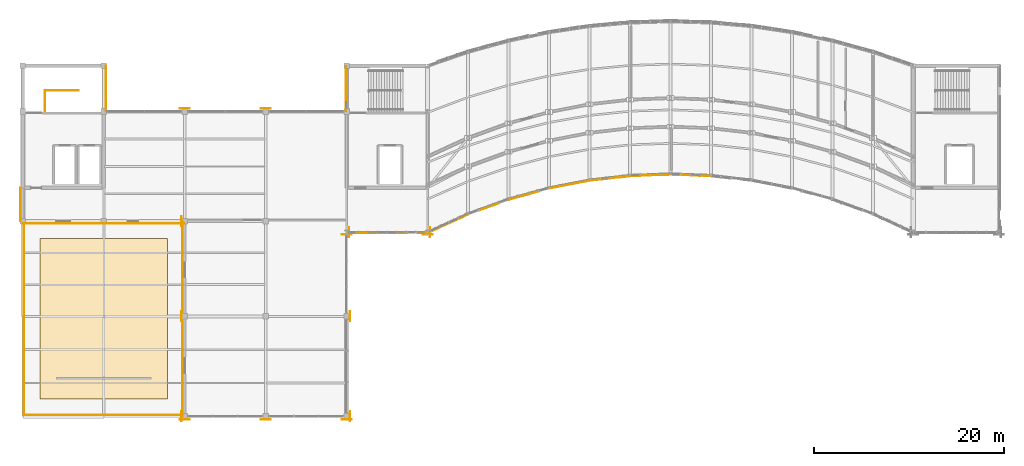
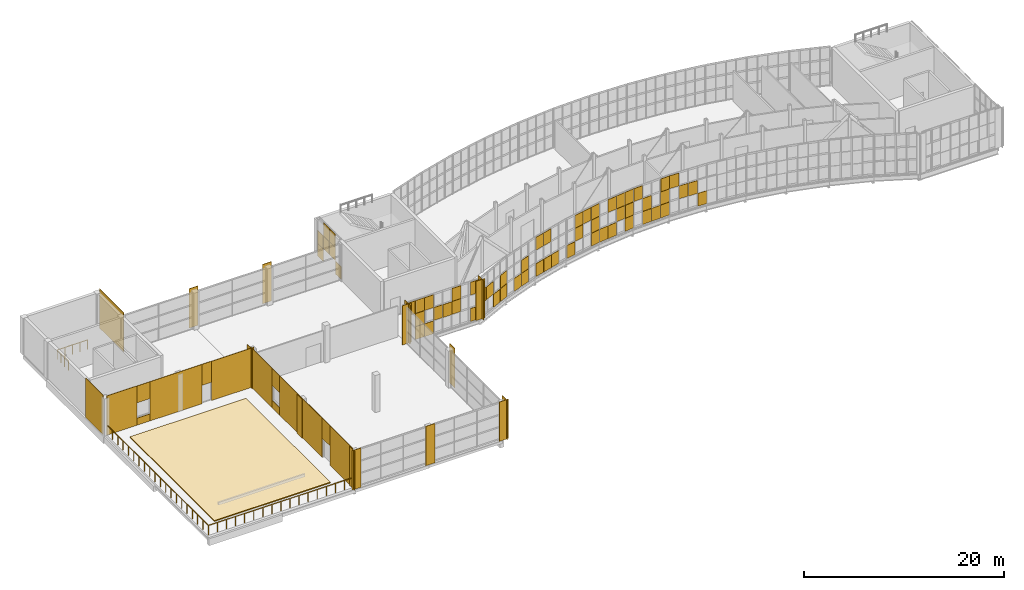
# One storey, part 42 of 46: 87 coverings, 2 railings.
"""IFC4 building model written with IfcOpenShell, lengths in metres."""

from ifc_helpers import new_model, si_unit, direction, frame, origin, origin_2d, place, context, subcontext, project, spatial, polyline, rectangle, circle, outline, extrude, material, layer, layer_set, type_object, element, save


model = new_model("IFC4")

# Units and contexts
model_context = context("Model", 3, precision=1e-05, world=origin(), true_north=direction((0.0, 1.0)))
body_context = subcontext(model_context, "Body", "Model", "MODEL_VIEW")
ifc_project = project(units=[si_unit("LENGTHUNIT", "METRE"), si_unit("AREAUNIT", "SQUARE_METRE"), si_unit("VOLUMEUNIT", "CUBIC_METRE"), si_unit("PLANEANGLEUNIT", "RADIAN"), si_unit("MASSUNIT", "GRAM", prefix="KILO")], contexts=[model_context])

# Site, building, storey
site_placement = place(None, origin())
site = spatial("IfcSite", under=ifc_project, at=site_placement, CompositionType="ELEMENT")
building_placement = place(site_placement, origin())
building = spatial("IfcBuilding", under=site, at=building_placement, Name="Solvikara Media Centre", CompositionType="ELEMENT")
storey_placement = place(building_placement, frame((0.0, 0.0, 24.60009765625)))
storey = spatial("IfcBuildingStorey", under=building, at=storey_placement, Name="L05", CompositionType="ELEMENT", Elevation=24.60009765625)

# Coverings
ifc_material_1 = material(Name="GFRC white mineral architectural rainscreen panel")
ifc_layer_1 = layer(ifc_material_1, 0.050048828125)
ifc_layer_set_1 = layer_set([ifc_layer_1], Name="GFRC white mineral architectural rainscreen panel")
covering_type_1 = type_object("IfcCoveringType", Name="CV-04", PredefinedType="CLADDING", material=ifc_layer_set_1)
for number, where, z_axis, x_axis, name in (
    (1, (50.675048828125, 0.0, 0.0), (0.0, 0.0, 1.0), (0.0, -1.0, 0.0), "PIL-L05-117"),
    (2, (51.0, -0.324951171875, 0.0), (0.0, 0.0, 1.0), (1.0, 0.0, 0.0), "PIL-L05-118"),
    (3, (50.675048828125, 10.5, 0.0), (0.0, 0.0, 1.0), (0.0, -1.0, 0.0), "PIL-L05-119"),
    (4, (50.675048828125, 20.5, 0.0), (0.0, 0.0, 1.0), (0.0, -1.0, 0.0), "PIL-L05-120"),
    (5, (51.0, 32.324951171875, 0.0), (0.0, 0.0, 1.0), (-1.0, 0.0, 0.0), "PIL-L05-122"),
    (6, (59.5, -0.324951171875, 0.0), (0.0, 0.0, 1.0), (1.0, 0.0, 0.0), "PIL-L05-132"),
    (7, (59.5, 32.324951171875, 0.0), (0.0, 0.0, 1.0), (-1.0, 0.0, 0.0), "PIL-L05-134"),
    (8, (68.324951171875, 0.0, 0.0), (0.0, 0.0, 1.0), (0.0, 1.0, 0.0), "PIL-L05-146"),
    (9, (68.0, -0.324951171875, 0.0), (0.0, 0.0, 1.0), (1.0, 0.0, 0.0), "PIL-L05-147"),
    (10, (68.324951171875, 10.5, 0.0), (0.0, 0.0, 1.0), (0.0, 1.0, 0.0), "PIL-L05-150"),
    (11, (68.22802734375, 19.323974609375, 0.0), (0.0, 0.0, 1.0), (0.0, 1.0, 0.0), "PIL-L05-167"),
    (12, (68.0, 19.0849609375, 0.0), (0.0, 0.0, 1.0), (1.0, 0.0, 0.0), "PIL-L05-168"),
    (13, (76.72802734375, 19.323974609375, 0.0), (0.0, 0.0, 1.0), (0.0, 1.0, 0.0), "PIL-L05-181"),
    (14, (76.5, 19.0849609375, 0.0), (0.0, 0.0, 1.0), (1.0, 0.0, 0.0), "PIL-L05-182"),
):
    element("IfcCovering", number, at=place(storey_placement, frame(where, z_axis=z_axis, x_axis=x_axis)), inside=storey, type_object=covering_type_1, Name=name, PredefinedType="CLADDING", context=body_context, shape_type="SweptSolid", body=[
        extrude(rectangle(XDim=1.0400390625, YDim=0.050048828125, at=origin_2d()), origin(), (0.0, 0.0, 1.0), 4.800048828125),
    ])
for number, where, z_axis, x_axis, name in (
    (15, (79.195068359375, 20.4609375, 0.0146484375), (0.0, 0.0, 1.0), (0.908187010791, 0.418564634711, 0.0), "CW-L05-SARC-00-SF-20"),
    (16, (80.258056640625, 20.948974609375, 0.0146484375), (0.0, 0.0, 1.0), (0.908675846917, 0.417502341586, 0.0), "CW-L05-SARC-00-SF-30"),
):
    element("IfcCovering", number, at=place(storey_placement, frame(where, z_axis=z_axis, x_axis=x_axis)), inside=storey, type_object=covering_type_1, Name=name, PredefinedType="CLADDING", context=body_context, shape_type="SweptSolid", body=[
        extrude(rectangle(XDim=1.139892578125, YDim=0.050048828125, at=origin_2d()), origin(), (0.0, 0.0, 1.0), 1.570068359375),
    ])
covering_1_placement = place(storey_placement, frame((83.43896484375, 22.156005859375, 1.61474609375), z_axis=(0.0, 0.0, 1.0), x_axis=(0.939901373663, 0.341446053991, 0.0)))
element("IfcCovering", 17, at=covering_1_placement, inside=storey, type_object=covering_type_1, Name="CW-L05-SARC-01-SF-21", PredefinedType="CLADDING", context=body_context, shape_type="SweptSolid", body=[
    extrude(rectangle(XDim=1.10107421875, YDim=0.050048828125, at=origin_2d()), origin(), (0.0, 0.0, 1.0), 1.570068359375),
])
for number, where, z_axis, x_axis, name in (
    (18, (85.555908203125, 22.8798828125, 0.0146484375), (0.0, 0.0, 1.0), (0.964049041264, 0.265724379832, 0.0), "CW-L05-SARC-02-SF-00"),
    (19, (86.618896484375, 23.172119140625, 0.0146484375), (0.0, 0.0, 1.0), (0.964049041264, 0.265724379832, 0.0), "CW-L05-SARC-02-SF-10"),
):
    element("IfcCovering", number, at=place(storey_placement, frame(where, z_axis=z_axis, x_axis=x_axis)), inside=storey, type_object=covering_type_1, Name=name, PredefinedType="CLADDING", context=body_context, shape_type="SweptSolid", body=[
        extrude(rectangle(XDim=1.072998046875, YDim=0.050048828125, at=origin_2d()), origin(), (0.0, 0.0, 1.0), 1.570068359375),
    ])
for number, where, z_axis, x_axis, name in (
    (20, (95.10498046875, 24.906982421875, 0.0146484375), (0.0, 0.0, 1.0), (0.993538223873, 0.113498007485, 0.0), "CW-L05-SARC-04-SF-10"),
    (21, (95.10498046875, 24.906982421875, 3.21484375), (0.0, 0.0, 1.0), (0.993538223873, 0.113498007485, 0.0), "CW-L05-SARC-04-SF-12"),
    (22, (97.22998046875, 25.15087890625, 1.61474609375), (0.0, 0.0, 1.0), (0.993538223873, 0.113498007485, 0.0), "CW-L05-SARC-04-SF-31"),
):
    element("IfcCovering", number, at=place(storey_placement, frame(where, z_axis=z_axis, x_axis=x_axis)), inside=storey, type_object=covering_type_1, Name=name, PredefinedType="CLADDING", context=body_context, shape_type="SweptSolid", body=[
        extrude(rectangle(XDim=1.0400390625, YDim=0.050048828125, at=origin_2d()), origin(), (0.0, 0.0, 1.0), 1.570068359375),
    ])
covering_2_placement = place(storey_placement, frame((98.284912109375, 25.23193359375, 3.21484375), z_axis=(0.0, 0.0, 1.0), x_axis=(0.999286838934, 0.037759946144, 0.0)))
element("IfcCovering", 23, at=covering_2_placement, inside=storey, type_object=covering_type_1, Name="CW-L05-SARC-05-SF-02", PredefinedType="CLADDING", context=body_context, shape_type="SweptSolid", body=[
    extrude(rectangle(XDim=1.032958984375, YDim=0.050048828125, at=origin_2d()), origin(), (0.0, 0.0, 1.0), 1.570068359375),
])
for number, where, z_axis, x_axis, name in (
    (24, (101.471923828125, 25.35205078125, 3.21484375), (0.0, 0.0, 1.0), (0.999288156396, 0.03772506443, 0.0), "CW-L05-SARC-05-SF-32"),
    (25, (102.528076171875, 25.35205078125, 3.21484375), (0.0, 0.0, 1.0), (0.999288156396, -0.03772506443, 0.0), "CW-L05-SARC-06-SF-02"),
    (26, (104.653076171875, 25.27099609375, 1.61474609375), (0.0, 0.0, 1.0), (0.999288156396, -0.03772506443, 0.0), "CW-L05-SARC-06-SF-21"),
):
    element("IfcCovering", number, at=place(storey_placement, frame(where, z_axis=z_axis, x_axis=x_axis)), inside=storey, type_object=covering_type_1, Name=name, PredefinedType="CLADDING", context=body_context, shape_type="SweptSolid", body=[
        extrude(rectangle(XDim=1.033935546875, YDim=0.050048828125, at=origin_2d()), origin(), (0.0, 0.0, 1.0), 1.570068359375),
    ])
for number, where, z_axis, x_axis, name in (
    (27, (68.531005859375, 19.22998046875, 3.21484375), (0.0, 0.0, 1.0), (1.0, 0.0, 0.0), "CW-L05-BHWS-SF-02"),
    (28, (69.593994140625, 19.22998046875, 1.61474609375), (0.0, 0.0, 1.0), (1.0, 0.0, 0.0), "CW-L05-BHWS-SF-11"),
    (29, (70.656005859375, 19.22998046875, 0.0146484375), (0.0, 0.0, 1.0), (1.0, 0.0, 0.0), "CW-L05-BHWS-SF-20"),
    (30, (70.656005859375, 19.22998046875, 3.21484375), (0.0, 0.0, 1.0), (1.0, 0.0, 0.0), "CW-L05-BHWS-SF-22"),
    (31, (72.781005859375, 19.22998046875, 1.61474609375), (0.0, 0.0, 1.0), (1.0, 0.0, 0.0), "CW-L05-BHWS-SF-41"),
    (32, (73.843994140625, 19.22998046875, 3.21484375), (0.0, 0.0, 1.0), (1.0, 0.0, 0.0), "CW-L05-BHWS-SF-52"),
    (33, (75.968994140625, 19.22998046875, 0.0146484375), (0.0, 0.0, 1.0), (1.0, 0.0, 0.0), "CW-L05-BHWS-SF-70"),
    (34, (75.968994140625, 19.22998046875, 3.21484375), (0.0, 0.0, 1.0), (1.0, 0.0, 0.0), "CW-L05-BHWS-SF-72"),
):
    element("IfcCovering", number, at=place(storey_placement, frame(where, z_axis=z_axis, x_axis=x_axis)), inside=storey, type_object=covering_type_1, Name=name, PredefinedType="CLADDING", context=body_context, shape_type="SweptSolid", body=[
        extrude(rectangle(XDim=1.031982421875, YDim=0.050048828125, at=origin_2d()), origin(), (0.0, 0.0, 1.0), 1.570068359375),
    ])
for number, where, z_axis, x_axis, name in (
    (35, (67.906005859375, 32.60009765625, 0.0146484375), (0.0, 0.0, 1.0), (0.0, 1.0, 0.0), "CW-L05-BHWN-SF-00"),
    (36, (67.906005859375, 33.800048828125, 3.21484375), (0.0, 0.0, 1.0), (0.0, 1.0, 0.0), "CW-L05-BHWN-SF-12"),
    (37, (67.906005859375, 35.0, 1.61474609375), (0.0, 0.0, 1.0), (0.0, 1.0, 0.0), "CW-L05-BHWN-SF-21"),
    (38, (67.906005859375, 36.199951171875, 1.61474609375), (0.0, 0.0, 1.0), (0.0, 1.0, 0.0), "CW-L05-BHWN-SF-31"),
):
    element("IfcCovering", number, at=place(storey_placement, frame(where, z_axis=z_axis, x_axis=x_axis)), inside=storey, type_object=covering_type_1, Name=name, PredefinedType="CLADDING", context=body_context, shape_type="SweptSolid", body=[
        extrude(rectangle(XDim=1.169921875, YDim=0.050048828125, at=origin_2d()), origin(), (0.0, 0.0, 1.0), 1.570068359375),
    ])
covering_3_placement = place(storey_placement, frame((50.7548828125, 2.25, 0.0), z_axis=(0.0, 0.0, 1.0), x_axis=(0.0, 1.0, 0.0)))
element("IfcCovering", 39, at=covering_3_placement, inside=storey, type_object=covering_type_1, Name="L05-V6W-CV-F01", PredefinedType="CLADDING", context=body_context, shape_type="SweptSolid", body=[
    extrude(rectangle(XDim=4.5, YDim=0.050048828125, at=origin_2d()), origin(), (0.0, 0.0, 1.0), 4.800048828125),
])
covering_4_placement = place(storey_placement, frame((50.7548828125, 5.300048828125, 2.35009765625), z_axis=(0.0, 0.0, 1.0), x_axis=(0.0, 1.0, 0.0)))
element("IfcCovering", 40, at=covering_4_placement, inside=storey, type_object=covering_type_1, Name="L05-V6W-CV-D02", PredefinedType="CLADDING", context=body_context, shape_type="SweptSolid", body=[
    extrude(rectangle(XDim=1.60009765625, YDim=0.050048828125, at=origin_2d()), origin(), (0.0, 0.0, 1.0), 2.449951171875),
])
covering_5_placement = place(storey_placement, frame((50.7548828125, 10.363037109375, 0.0), z_axis=(0.0, 0.0, 1.0), x_axis=(0.0, 1.0, 0.0)))
element("IfcCovering", 41, at=covering_5_placement, inside=storey, type_object=covering_type_1, Name="L05-V6W-CV-F03", PredefinedType="CLADDING", context=body_context, shape_type="SweptSolid", body=[
    extrude(rectangle(XDim=8.52490234375, YDim=0.050048828125, at=origin_2d()), origin(), (0.0, 0.0, 1.0), 4.800048828125),
])
covering_6_placement = place(storey_placement, frame((50.7548828125, 15.375, -0.000244140625), z_axis=(0.0, 0.0, 1.0), x_axis=(0.0, 1.0, 0.0)))
element("IfcCovering", 42, at=covering_6_placement, inside=storey, type_object=covering_type_1, Name="L05-V6W-CV-S04", PredefinedType="CLADDING", context=body_context, shape_type="SweptSolid", body=[
    extrude(rectangle(XDim=1.5, YDim=0.050048828125, at=origin_2d()), origin(), (0.0, 0.0, 1.0), 0.8701171875),
])
covering_7_placement = place(storey_placement, frame((50.7548828125, 15.375, 2.72998046875), z_axis=(0.0, 0.0, 1.0), x_axis=(0.0, 1.0, 0.0)))
element("IfcCovering", 43, at=covering_7_placement, inside=storey, type_object=covering_type_1, Name="L05-V6W-CV-H04", PredefinedType="CLADDING", context=body_context, shape_type="SweptSolid", body=[
    extrude(rectangle(XDim=1.5, YDim=0.050048828125, at=origin_2d()), origin(), (0.0, 0.0, 1.0), 2.070068359375),
])
covering_8_placement = place(storey_placement, frame((50.7548828125, 18.31201171875, 0.0), z_axis=(0.0, 0.0, 1.0), x_axis=(0.0, 1.0, 0.0)))
element("IfcCovering", 44, at=covering_8_placement, inside=storey, type_object=covering_type_1, Name="L05-V6W-CV-F05", PredefinedType="CLADDING", context=body_context, shape_type="SweptSolid", body=[
    extrude(rectangle(XDim=4.375, YDim=0.050048828125, at=origin_2d()), origin(), (0.0, 0.0, 1.0), 4.800048828125),
])
covering_9_placement = place(storey_placement, frame((35.75, 20.2548828125, 0.0), z_axis=(0.0, 0.0, 1.0), x_axis=(1.0, 0.0, 0.0)))
element("IfcCovering", 45, at=covering_9_placement, inside=storey, type_object=covering_type_1, Name="L05-V6S2-CV-F01", PredefinedType="CLADDING", context=body_context, shape_type="SweptSolid", body=[
    extrude(rectangle(XDim=3.5, YDim=0.050048828125, at=origin_2d()), origin(), (0.0, 0.0, 1.0), 4.800048828125),
])
covering_10_placement = place(storey_placement, frame((38.25, 20.2548828125, -0.000244140625), z_axis=(0.0, 0.0, 1.0), x_axis=(1.0, 0.0, 0.0)))
element("IfcCovering", 46, at=covering_10_placement, inside=storey, type_object=covering_type_1, Name="L05-V6S2-CV-S02", PredefinedType="CLADDING", context=body_context, shape_type="SweptSolid", body=[
    extrude(rectangle(XDim=1.5, YDim=0.050048828125, at=origin_2d()), origin(), (0.0, 0.0, 1.0), 0.8701171875),
])
covering_11_placement = place(storey_placement, frame((38.25, 20.2548828125, 2.72998046875), z_axis=(0.0, 0.0, 1.0), x_axis=(1.0, 0.0, 0.0)))
element("IfcCovering", 47, at=covering_11_placement, inside=storey, type_object=covering_type_1, Name="L05-V6S2-CV-H02", PredefinedType="CLADDING", context=body_context, shape_type="SweptSolid", body=[
    extrude(rectangle(XDim=1.5, YDim=0.050048828125, at=origin_2d()), origin(), (0.0, 0.0, 1.0), 2.070068359375),
])
covering_12_placement = place(storey_placement, frame((42.0, 20.2548828125, 0.0), z_axis=(0.0, 0.0, 1.0), x_axis=(1.0, 0.0, 0.0)))
element("IfcCovering", 48, at=covering_12_placement, inside=storey, type_object=covering_type_1, Name="L05-V6S2-CV-F03", PredefinedType="CLADDING", context=body_context, shape_type="SweptSolid", body=[
    extrude(rectangle(XDim=6.0, YDim=0.050048828125, at=origin_2d()), origin(), (0.0, 0.0, 1.0), 4.800048828125),
])
covering_13_placement = place(storey_placement, frame((45.550048828125, 20.2548828125, 2.25), z_axis=(0.0, 0.0, 1.0), x_axis=(1.0, 0.0, 0.0)))
element("IfcCovering", 49, at=covering_13_placement, inside=storey, type_object=covering_type_1, Name="L05-V6S2-CV-D04", PredefinedType="CLADDING", context=body_context, shape_type="SweptSolid", body=[
    extrude(rectangle(XDim=1.10009765625, YDim=0.050048828125, at=origin_2d()), origin(), (0.0, 0.0, 1.0), 2.550048828125),
])
covering_14_placement = place(storey_placement, frame((48.550048828125, 20.2548828125, 0.0), z_axis=(0.0, 0.0, 1.0), x_axis=(1.0, 0.0, 0.0)))
element("IfcCovering", 50, at=covering_14_placement, inside=storey, type_object=covering_type_1, Name="L05-V6S2-CV-F05", PredefinedType="CLADDING", context=body_context, shape_type="SweptSolid", body=[
    extrude(rectangle(XDim=4.89990234375, YDim=0.050048828125, at=origin_2d()), origin(), (0.0, 0.0, 1.0), 4.800048828125),
])
covering_15_placement = place(storey_placement, frame((42.7451171875, 34.39990234375, 0.0), z_axis=(0.0, 0.0, 1.0), x_axis=(0.0, 1.0, 0.0)))
element("IfcCovering", 51, at=covering_15_placement, inside=storey, type_object=covering_type_1, Name="CLD-L05-C2E-01", PredefinedType="CLADDING", context=body_context, shape_type="SweptSolid", body=[
    extrude(rectangle(XDim=4.800048828125, YDim=0.050048828125, at=origin_2d()), origin(), (0.0, 0.0, 1.0), 4.800048828125),
])
covering_16_placement = place(storey_placement, frame((33.7548828125, 22.25, 0.0), z_axis=(0.0, 0.0, 1.0), x_axis=(0.0, 1.0, 0.0)))
element("IfcCovering", 52, at=covering_16_placement, inside=storey, type_object=covering_type_1, Name="L05-C2W-CV-F01", PredefinedType="CLADDING", context=body_context, shape_type="SweptSolid", body=[
    extrude(rectangle(XDim=3.5, YDim=0.050048828125, at=origin_2d()), origin(), (0.0, 0.0, 1.0), 4.800048828125),
])
ifc_material_2 = material(Name="Insulated silver-pearl glass spandrel panel", Category="glass")
ifc_layer_2 = layer(ifc_material_2, 0.034912109375)
ifc_layer_set_2 = layer_set([ifc_layer_2], Name="Insulated silver-pearl glass spandrel panel")
covering_type_2 = type_object("IfcCoveringType", Name="CV-06", PredefinedType="CLADDING", material=ifc_layer_set_2)
for number, where, z_axis, x_axis, name in (
    (53, (77.06689453125, 19.491943359375, 1.61474609375), (0.0, 0.0, 1.0), (0.908522763286, 0.417835360629, 0.0), "CW-L05-SARC-00-PX-01"),
    (54, (78.12890625, 19.98095703125, 1.61474609375), (0.0, 0.0, 1.0), (0.908522763286, 0.417835360629, 0.0), "CW-L05-SARC-00-PX-11"),
    (55, (80.25390625, 20.9580078125, 1.61474609375), (0.0, 0.0, 1.0), (0.908522763286, 0.417835360629, 0.0), "CW-L05-SARC-00-PX-31"),
):
    element("IfcCovering", number, at=place(storey_placement, frame(where, z_axis=z_axis, x_axis=x_axis)), inside=storey, type_object=covering_type_2, Name=name, PredefinedType="CLADDING", context=body_context, shape_type="SweptSolid", body=[
        extrude(rectangle(XDim=1.138916015625, YDim=0.034912109375, at=origin_2d()), origin(), (0.0, 0.0, 1.0), 1.570068359375),
    ])
covering_17_placement = place(storey_placement, frame((82.373046875, 21.779052734375, 0.0146484375), z_axis=(0.0, 0.0, 1.0), x_axis=(0.939901373663, 0.341446053991, 0.0)))
element("IfcCovering", 56, at=covering_17_placement, inside=storey, type_object=covering_type_2, Name="CW-L05-SARC-01-PX-10", PredefinedType="CLADDING", context=body_context, shape_type="SweptSolid", body=[
    extrude(rectangle(XDim=1.10107421875, YDim=0.034912109375, at=origin_2d()), origin(), (0.0, 0.0, 1.0), 1.570068359375),
])
covering_18_placement = place(storey_placement, frame((83.43505859375, 22.166015625, 0.0146484375), z_axis=(0.0, 0.0, 1.0), x_axis=(0.939794058841, 0.341741315862, 0.0)))
element("IfcCovering", 57, at=covering_18_placement, inside=storey, type_object=covering_type_2, Name="CW-L05-SARC-01-PX-20", PredefinedType="CLADDING", context=body_context, shape_type="SweptSolid", body=[
    extrude(rectangle(XDim=1.10009765625, YDim=0.034912109375, at=origin_2d()), origin(), (0.0, 0.0, 1.0), 1.570068359375),
])
covering_19_placement = place(storey_placement, frame((85.552978515625, 22.888916015625, 3.21484375), z_axis=(0.0, 0.0, 1.0), x_axis=(0.963984083771, 0.265959933516, 0.0)))
element("IfcCovering", 58, at=covering_19_placement, inside=storey, type_object=covering_type_2, Name="CW-L05-SARC-02-PX-02", PredefinedType="CLADDING", context=body_context, shape_type="SweptSolid", body=[
    extrude(rectangle(XDim=1.072021484375, YDim=0.034912109375, at=origin_2d()), origin(), (0.0, 0.0, 1.0), 1.570068359375),
])
covering_20_placement = place(storey_placement, frame((86.615966796875, 23.181884765625, 3.21484375), z_axis=(0.0, 0.0, 1.0), x_axis=(0.964049041264, 0.265724379832, 0.0)))
element("IfcCovering", 59, at=covering_20_placement, inside=storey, type_object=covering_type_2, Name="CW-L05-SARC-02-PX-12", PredefinedType="CLADDING", context=body_context, shape_type="SweptSolid", body=[
    extrude(rectangle(XDim=1.072998046875, YDim=0.034912109375, at=origin_2d()), origin(), (0.0, 0.0, 1.0), 1.570068359375),
])
covering_21_placement = place(storey_placement, frame((87.677978515625, 23.47509765625, 0.0146484375), z_axis=(0.0, 0.0, 1.0), x_axis=(0.963984083771, 0.265959933516, 0.0)))
element("IfcCovering", 60, at=covering_21_placement, inside=storey, type_object=covering_type_2, Name="CW-L05-SARC-02-PX-20", PredefinedType="CLADDING", context=body_context, shape_type="SweptSolid", body=[
    extrude(rectangle(XDim=1.072021484375, YDim=0.034912109375, at=origin_2d()), origin(), (0.0, 0.0, 1.0), 1.570068359375),
])
for number, where, z_axis, x_axis, name in (
    (61, (89.797119140625, 24.01611328125, 0.0146484375), (0.0, 0.0, 1.0), (0.981766789998, 0.190089373868, 0.0), "CW-L05-SARC-03-PX-00"),
    (62, (90.85888671875, 24.221923828125, 1.61474609375), (0.0, 0.0, 1.0), (0.981766789998, 0.190089373868, 0.0), "CW-L05-SARC-03-PX-11"),
    (63, (90.85888671875, 24.221923828125, 3.21484375), (0.0, 0.0, 1.0), (0.981766789998, 0.190089373868, 0.0), "CW-L05-SARC-03-PX-12"),
    (64, (91.922119140625, 24.427001953125, 3.21484375), (0.0, 0.0, 1.0), (0.981766789998, 0.190089373868, 0.0), "CW-L05-SARC-03-PX-22"),
    (65, (92.98388671875, 24.633056640625, 0.0146484375), (0.0, 0.0, 1.0), (0.981766789998, 0.190089373868, 0.0), "CW-L05-SARC-03-PX-30"),
    (66, (92.98388671875, 24.633056640625, 1.61474609375), (0.0, 0.0, 1.0), (0.981766789998, 0.190089373868, 0.0), "CW-L05-SARC-03-PX-31"),
    (67, (92.98388671875, 24.633056640625, 3.21484375), (0.0, 0.0, 1.0), (0.981766789998, 0.190089373868, 0.0), "CW-L05-SARC-03-PX-32"),
):
    element("IfcCovering", number, at=place(storey_placement, frame(where, z_axis=z_axis, x_axis=x_axis)), inside=storey, type_object=covering_type_2, Name=name, PredefinedType="CLADDING", context=body_context, shape_type="SweptSolid", body=[
        extrude(rectangle(XDim=1.052001953125, YDim=0.034912109375, at=origin_2d()), origin(), (0.0, 0.0, 1.0), 1.570068359375),
    ])
for number, where, z_axis, x_axis, name in (
    (68, (94.041015625, 24.7958984375, 0.0146484375), (0.0, 0.0, 1.0), (0.993430813275, 0.114434344654, 0.0), "CW-L05-SARC-04-PX-00"),
    (69, (96.166015625, 25.0390625, 1.61474609375), (0.0, 0.0, 1.0), (0.993538223873, 0.113498007485, 0.0), "CW-L05-SARC-04-PX-21"),
    (70, (96.166015625, 25.0390625, 3.21484375), (0.0, 0.0, 1.0), (0.993538223873, 0.113498007485, 0.0), "CW-L05-SARC-04-PX-22"),
    (71, (97.22802734375, 25.160888671875, 0.0146484375), (0.0, 0.0, 1.0), (0.993538223873, 0.113498007485, 0.0), "CW-L05-SARC-04-PX-30"),
    (72, (97.22802734375, 25.160888671875, 3.21484375), (0.0, 0.0, 1.0), (0.993538223873, 0.113498007485, 0.0), "CW-L05-SARC-04-PX-32"),
):
    element("IfcCovering", number, at=place(storey_placement, frame(where, z_axis=z_axis, x_axis=x_axis)), inside=storey, type_object=covering_type_2, Name=name, PredefinedType="CLADDING", context=body_context, shape_type="SweptSolid", body=[
        extrude(rectangle(XDim=1.0400390625, YDim=0.034912109375, at=origin_2d()), origin(), (0.0, 0.0, 1.0), 1.570068359375),
    ])
for number, where, z_axis, x_axis, name in (
    (73, (99.346923828125, 25.281982421875, 0.0146484375), (0.0, 0.0, 1.0), (0.999286838934, 0.037759946144, 0.0), "CW-L05-SARC-05-PX-10"),
    (74, (99.346923828125, 25.281982421875, 1.61474609375), (0.0, 0.0, 1.0), (0.999286838934, 0.037759946144, 0.0), "CW-L05-SARC-05-PX-11"),
):
    element("IfcCovering", number, at=place(storey_placement, frame(where, z_axis=z_axis, x_axis=x_axis)), inside=storey, type_object=covering_type_2, Name=name, PredefinedType="CLADDING", context=body_context, shape_type="SweptSolid", body=[
        extrude(rectangle(XDim=1.032958984375, YDim=0.034912109375, at=origin_2d()), origin(), (0.0, 0.0, 1.0), 1.570068359375),
    ])
covering_22_placement = place(storey_placement, frame((100.409912109375, 25.322021484375, 0.0146484375), z_axis=(0.0, 0.0, 1.0), x_axis=(0.999288156396, 0.03772506443, 0.0)))
element("IfcCovering", 75, at=covering_22_placement, inside=storey, type_object=covering_type_2, Name="CW-L05-SARC-05-PX-20", PredefinedType="CLADDING", context=body_context, shape_type="SweptSolid", body=[
    extrude(rectangle(XDim=1.033935546875, YDim=0.034912109375, at=origin_2d()), origin(), (0.0, 0.0, 1.0), 1.570068359375),
])
for number, where, z_axis, x_axis, name in (
    (76, (101.471923828125, 25.363037109375, 0.0146484375), (0.0, 0.0, 1.0), (0.999286838934, 0.037759946144, 0.0), "CW-L05-SARC-05-PX-30"),
    (77, (101.471923828125, 25.363037109375, 1.61474609375), (0.0, 0.0, 1.0), (0.999286838934, 0.037759946144, 0.0), "CW-L05-SARC-05-PX-31"),
):
    element("IfcCovering", number, at=place(storey_placement, frame(where, z_axis=z_axis, x_axis=x_axis)), inside=storey, type_object=covering_type_2, Name=name, PredefinedType="CLADDING", context=body_context, shape_type="SweptSolid", body=[
        extrude(rectangle(XDim=1.032958984375, YDim=0.034912109375, at=origin_2d()), origin(), (0.0, 0.0, 1.0), 1.570068359375),
    ])
for number, where, z_axis, x_axis, name in (
    (78, (103.590087890625, 25.322021484375, 1.61474609375), (0.0, 0.0, 1.0), (0.999288156396, -0.03772506443, 0.0), "CW-L05-SARC-06-PX-11"),
    (79, (105.715087890625, 25.241943359375, 0.0146484375), (0.0, 0.0, 1.0), (0.999288156396, -0.03772506443, 0.0), "CW-L05-SARC-06-PX-30"),
):
    element("IfcCovering", number, at=place(storey_placement, frame(where, z_axis=z_axis, x_axis=x_axis)), inside=storey, type_object=covering_type_2, Name=name, PredefinedType="CLADDING", context=body_context, shape_type="SweptSolid", body=[
        extrude(rectangle(XDim=1.033935546875, YDim=0.034912109375, at=origin_2d()), origin(), (0.0, 0.0, 1.0), 1.570068359375),
    ])
for number, where, z_axis, x_axis, name in (
    (80, (69.593994140625, 19.239990234375, 0.0146484375), (0.0, 0.0, 1.0), (1.0, 0.0, 0.0), "CW-L05-BHWS-PX-10"),
    (81, (69.593994140625, 19.239990234375, 3.21484375), (0.0, 0.0, 1.0), (1.0, 0.0, 0.0), "CW-L05-BHWS-PX-12"),
    (82, (71.718994140625, 19.239990234375, 1.61474609375), (0.0, 0.0, 1.0), (1.0, 0.0, 0.0), "CW-L05-BHWS-PX-31"),
    (83, (73.843994140625, 19.239990234375, 1.61474609375), (0.0, 0.0, 1.0), (1.0, 0.0, 0.0), "CW-L05-BHWS-PX-51"),
):
    element("IfcCovering", number, at=place(storey_placement, frame(where, z_axis=z_axis, x_axis=x_axis)), inside=storey, type_object=covering_type_2, Name=name, PredefinedType="CLADDING", context=body_context, shape_type="SweptSolid", body=[
        extrude(rectangle(XDim=1.031982421875, YDim=0.034912109375, at=origin_2d()), origin(), (0.0, 0.0, 1.0), 1.570068359375),
    ])
for number, where, z_axis, x_axis, name in (
    (84, (67.916015625, 33.800048828125, 1.61474609375), (0.0, 0.0, 1.0), (0.0, 1.0, 0.0), "CW-L05-BHWN-PX-11"),
    (85, (67.916015625, 35.0, 3.21484375), (0.0, 0.0, 1.0), (0.0, 1.0, 0.0), "CW-L05-BHWN-PX-22"),
    (86, (67.916015625, 36.199951171875, 0.0146484375), (0.0, 0.0, 1.0), (0.0, 1.0, 0.0), "CW-L05-BHWN-PX-30"),
):
    element("IfcCovering", number, at=place(storey_placement, frame(where, z_axis=z_axis, x_axis=x_axis)), inside=storey, type_object=covering_type_2, Name=name, PredefinedType="CLADDING", context=body_context, shape_type="SweptSolid", body=[
        extrude(rectangle(XDim=1.169921875, YDim=0.034912109375, at=origin_2d()), origin(), (0.0, 0.0, 1.0), 1.570068359375),
    ])
ifc_material_3 = material(Name="Engineered extensive green-roof substrate and membrane")
ifc_layer_3 = layer(ifc_material_3, 0.1201171875)
ifc_layer_set_3 = layer_set([ifc_layer_3], Name="Engineered extensive green-roof substrate and membrane")
covering_type_3 = type_object("IfcCoveringType", Name="CV-07", PredefinedType="ROOFING", material=ifc_layer_set_3)
covering_23_placement = place(storey_placement, origin())
element("IfcCovering", 87, at=covering_23_placement, inside=storey, type_object=covering_type_3, Name="GRN-TER-L05-V6W", PredefinedType="ROOFING", context=body_context, shape_type="SweptSolid", body=[
    extrude(outline(polyline([(35.800048828125, 1.800048828125), (49.199951171875, 1.800048828125), (49.199951171875, 18.699951171875), (35.800048828125, 18.699951171875), (35.800048828125, 1.800048828125)])), origin(), (0.0, 0.0, 1.0), 0.119873046875),
])

# Railings
ifc_material_4 = material(Name="Steel S355JR", Category="steel")
railing_type = type_object("IfcRailingType", Name="GR-01", PredefinedType="GUARDRAIL", material=ifc_material_4)
railing_1_placement = place(storey_placement, frame((50.89990234375, 0.1201171875, 0.0)))
element("IfcRailing", 88, at=railing_1_placement, inside=storey, type_object=railing_type, Name="GR-TER-L05W", PredefinedType="GUARDRAIL", context=body_context, shape_type="SweptSolid", body=[
    extrude(circle(Radius=0.02392578125, at=origin_2d()), frame((0.0, 0.0, 1.1259765625), z_axis=(-1.0, 0.0, 0.0), x_axis=(0.0, -1.0, 0.0)), (0.0, 0.0, 1.0), 16.77978515625),
    extrude(circle(Radius=0.02392578125, at=origin_2d()), frame((-16.77978515625, 0.0, 1.1259765625), z_axis=(0.0, 1.0, 0.0), x_axis=(-1.0, 0.0, 0.0)), (0.0, 0.0, 1.0), 20.259765625),
    extrude(circle(Radius=0.02099609375, at=origin_2d()), origin(), (0.0, 0.0, 1.0), 1.101806640625),
    extrude(circle(Radius=0.02099609375, at=origin_2d()), frame((-1.048828125, 0.0, 0.0)), (0.0, 0.0, 1.0), 1.101806640625),
    extrude(circle(Radius=0.02099609375, at=origin_2d()), frame((-2.097412109375, 0.0, 0.0)), (0.0, 0.0, 1.0), 1.101806640625),
    extrude(circle(Radius=0.02099609375, at=origin_2d()), frame((-3.146240234375, 0.0, 0.0)), (0.0, 0.0, 1.0), 1.101806640625),
    extrude(circle(Radius=0.02099609375, at=origin_2d()), frame((-4.19482421875, 0.0, 0.0)), (0.0, 0.0, 1.0), 1.101806640625),
    extrude(circle(Radius=0.02099609375, at=origin_2d()), frame((-5.24365234375, 0.0, 0.0)), (0.0, 0.0, 1.0), 1.101806640625),
    extrude(circle(Radius=0.02099609375, at=origin_2d()), frame((-6.29248046875, 0.0, 0.0)), (0.0, 0.0, 1.0), 1.101806640625),
    extrude(circle(Radius=0.02099609375, at=origin_2d()), frame((-7.341064453125, 0.0, 0.0)), (0.0, 0.0, 1.0), 1.101806640625),
    extrude(circle(Radius=0.02099609375, at=origin_2d()), frame((-8.389892578125, 0.0, 0.0)), (0.0, 0.0, 1.0), 1.101806640625),
    extrude(circle(Radius=0.02099609375, at=origin_2d()), frame((-9.438720703125, 0.0, 0.0)), (0.0, 0.0, 1.0), 1.101806640625),
    extrude(circle(Radius=0.02099609375, at=origin_2d()), frame((-10.4873046875, 0.0, 0.0)), (0.0, 0.0, 1.0), 1.101806640625),
    extrude(circle(Radius=0.02099609375, at=origin_2d()), frame((-11.5361328125, 0.0, 0.0)), (0.0, 0.0, 1.0), 1.101806640625),
    extrude(circle(Radius=0.02099609375, at=origin_2d()), frame((-12.5849609375, 0.0, 0.0)), (0.0, 0.0, 1.0), 1.101806640625),
    extrude(circle(Radius=0.02099609375, at=origin_2d()), frame((-13.633544921875, 0.0, 0.0)), (0.0, 0.0, 1.0), 1.101806640625),
    extrude(circle(Radius=0.02099609375, at=origin_2d()), frame((-14.682373046875, 0.0, 0.0)), (0.0, 0.0, 1.0), 1.101806640625),
    extrude(circle(Radius=0.02099609375, at=origin_2d()), frame((-15.73095703125, 0.0, 0.0)), (0.0, 0.0, 1.0), 1.101806640625),
    extrude(circle(Radius=0.02099609375, at=origin_2d()), frame((-16.77978515625, 0.0, 0.0)), (0.0, 0.0, 1.0), 1.101806640625),
    extrude(circle(Radius=0.02099609375, at=origin_2d()), frame((-16.77978515625, 1.06640625, 0.0)), (0.0, 0.0, 1.0), 1.101806640625),
    extrude(circle(Radius=0.02099609375, at=origin_2d()), frame((-16.77978515625, 2.132568359375, 0.0)), (0.0, 0.0, 1.0), 1.101806640625),
    extrude(circle(Radius=0.02099609375, at=origin_2d()), frame((-16.77978515625, 3.198974609375, 0.0)), (0.0, 0.0, 1.0), 1.101806640625),
    extrude(circle(Radius=0.02099609375, at=origin_2d()), frame((-16.77978515625, 4.26513671875, 0.0)), (0.0, 0.0, 1.0), 1.101806640625),
    extrude(circle(Radius=0.02099609375, at=origin_2d()), frame((-16.77978515625, 5.33154296875, 0.0)), (0.0, 0.0, 1.0), 1.101806640625),
    extrude(circle(Radius=0.02099609375, at=origin_2d()), frame((-16.77978515625, 6.397705078125, 0.0)), (0.0, 0.0, 1.0), 1.101806640625),
    extrude(circle(Radius=0.02099609375, at=origin_2d()), frame((-16.77978515625, 7.464111328125, 0.0)), (0.0, 0.0, 1.0), 1.101806640625),
    extrude(circle(Radius=0.02099609375, at=origin_2d()), frame((-16.77978515625, 8.530517578125, 0.0)), (0.0, 0.0, 1.0), 1.101806640625),
    extrude(circle(Radius=0.02099609375, at=origin_2d()), frame((-16.77978515625, 9.5966796875, 0.0)), (0.0, 0.0, 1.0), 1.101806640625),
    extrude(circle(Radius=0.02099609375, at=origin_2d()), frame((-16.77978515625, 10.6630859375, 0.0)), (0.0, 0.0, 1.0), 1.101806640625),
    extrude(circle(Radius=0.02099609375, at=origin_2d()), frame((-16.77978515625, 11.729248046875, 0.0)), (0.0, 0.0, 1.0), 1.101806640625),
    extrude(circle(Radius=0.02099609375, at=origin_2d()), frame((-16.77978515625, 12.795654296875, 0.0)), (0.0, 0.0, 1.0), 1.101806640625),
    extrude(circle(Radius=0.02099609375, at=origin_2d()), frame((-16.77978515625, 13.862060546875, 0.0)), (0.0, 0.0, 1.0), 1.101806640625),
    extrude(circle(Radius=0.02099609375, at=origin_2d()), frame((-16.77978515625, 14.92822265625, 0.0)), (0.0, 0.0, 1.0), 1.101806640625),
    extrude(circle(Radius=0.02099609375, at=origin_2d()), frame((-16.77978515625, 15.99462890625, 0.0)), (0.0, 0.0, 1.0), 1.101806640625),
    extrude(circle(Radius=0.02099609375, at=origin_2d()), frame((-16.77978515625, 17.060791015625, 0.0)), (0.0, 0.0, 1.0), 1.101806640625),
    extrude(circle(Radius=0.02099609375, at=origin_2d()), frame((-16.77978515625, 18.127197265625, 0.0)), (0.0, 0.0, 1.0), 1.101806640625),
    extrude(circle(Radius=0.02099609375, at=origin_2d()), frame((-16.77978515625, 19.193359375, 0.0)), (0.0, 0.0, 1.0), 1.101806640625),
    extrude(circle(Radius=0.02099609375, at=origin_2d()), frame((-16.77978515625, 20.259765625, 0.0)), (0.0, 0.0, 1.0), 1.101806640625),
])
railing_2_placement = place(storey_placement, frame((36.340087890625, 31.97998046875, 0.0)))
element("IfcRailing", 89, at=railing_2_placement, inside=storey, type_object=railing_type, Name="GR-C2-L04-W", PredefinedType="GUARDRAIL", context=body_context, shape_type="SweptSolid", body=[
    extrude(circle(Radius=0.02392578125, at=origin_2d()), frame((0.0, 0.0, 1.1259765625), z_axis=(0.0, 1.0, 0.0), x_axis=(-1.0, 0.0, 0.0)), (0.0, 0.0, 1.0), 2.239990234375),
    extrude(circle(Radius=0.02392578125, at=origin_2d()), frame((0.0, 2.239990234375, 1.1259765625), z_axis=(1.0, 0.0, 0.0), x_axis=(0.0, 1.0, 0.0)), (0.0, 0.0, 1.0), 3.52001953125),
    extrude(circle(Radius=0.02099609375, at=origin_2d()), origin(), (0.0, 0.0, 1.0), 1.101806640625),
    extrude(circle(Radius=0.02099609375, at=origin_2d()), frame((0.0, 0.74658203125, 0.0)), (0.0, 0.0, 1.0), 1.101806640625),
    extrude(circle(Radius=0.02099609375, at=origin_2d()), frame((0.0, 1.493408203125, 0.0)), (0.0, 0.0, 1.0), 1.101806640625),
    extrude(circle(Radius=0.02099609375, at=origin_2d()), frame((0.0, 2.239990234375, 0.0)), (0.0, 0.0, 1.0), 1.101806640625),
    extrude(circle(Radius=0.02099609375, at=origin_2d()), frame((0.8798828125, 2.239990234375, 0.0)), (0.0, 0.0, 1.0), 1.101806640625),
    extrude(circle(Radius=0.02099609375, at=origin_2d()), frame((1.760009765625, 2.239990234375, 0.0)), (0.0, 0.0, 1.0), 1.101806640625),
    extrude(circle(Radius=0.02099609375, at=origin_2d()), frame((2.64013671875, 2.239990234375, 0.0)), (0.0, 0.0, 1.0), 1.101806640625),
    extrude(circle(Radius=0.02099609375, at=origin_2d()), frame((3.52001953125, 2.239990234375, 0.0)), (0.0, 0.0, 1.0), 1.101806640625),
])

save(model, "model.ifc")
